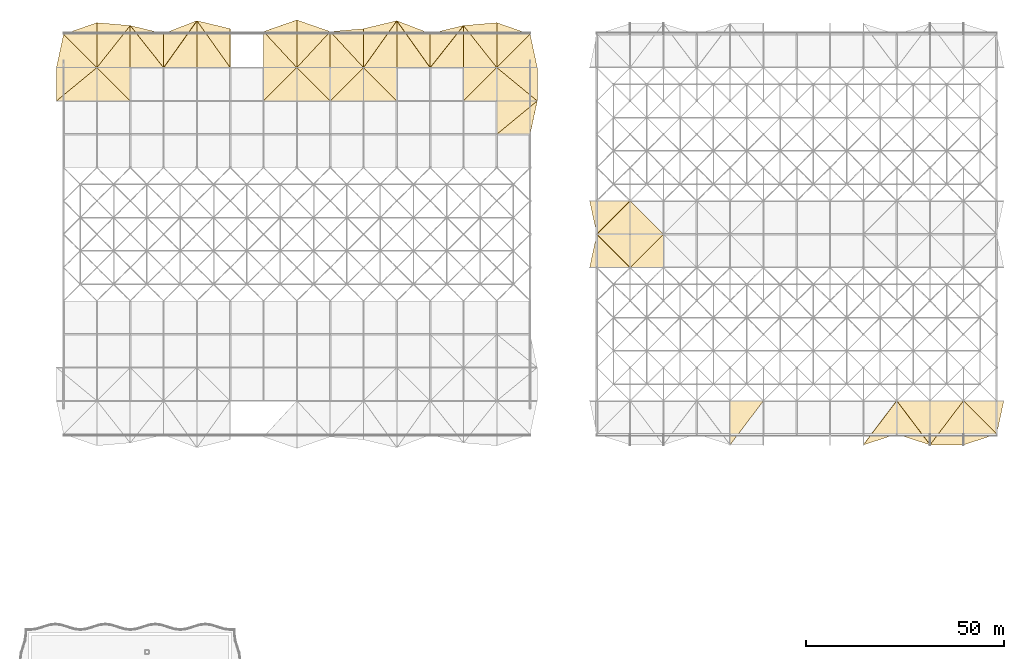
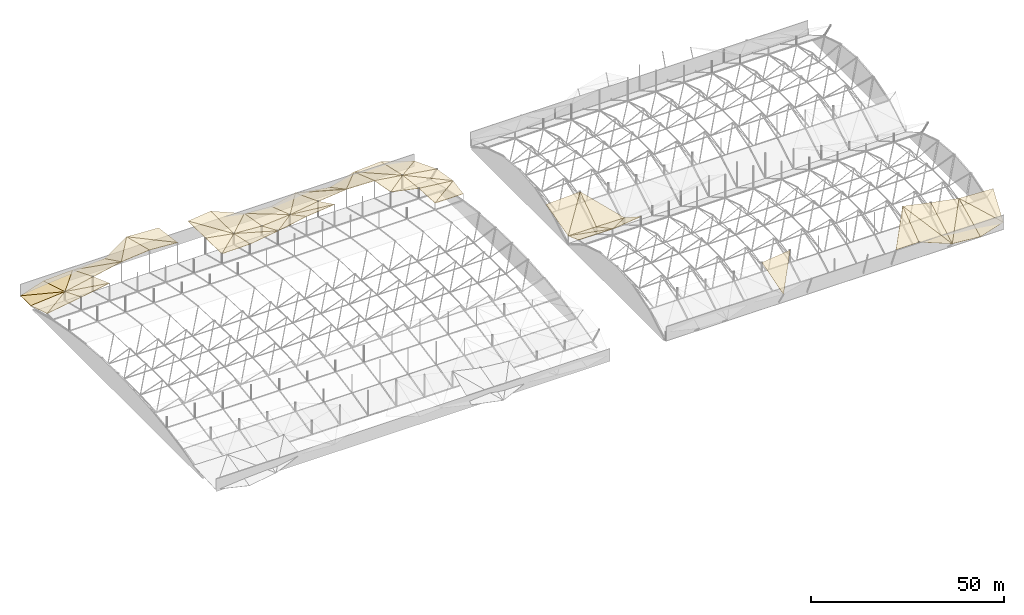
# One storey, part 110 of 111: 59 coverings.
"""IFC4 building model written with IfcOpenShell, lengths in metres."""

import ifcopenshell
import ifcopenshell.guid

model = None  # the IFC model being written
_history = None  # IfcOwnerHistory: only IFC2X3 demands one
_inside = {}  # id of a spatial element -> (the spatial element, [elements in it])
_under = {}  # id of a project, library or spatial element -> (it, [spatial elements below it])
_declared = {}  # id of a project -> (the project, [libraries it declares])
_typed = {}  # id of a type object -> (the type object, [elements of that type])
_made_of = {}  # id of a material, layer set ... -> (it, [elements and type objects made of it])


def new_model(schema):
    """Start an empty IFC model of exactly this schema.

    Asked for "IFC4X3", IfcOpenShell would pick the latest addendum, in which some entities
    have other attributes; the version numbers below select the first issue.
    IFC2X3 requires an IfcOwnerHistory on every rooted entity: one is made here for all.
    """
    global model, _history
    if schema == "IFC4X3":
        model = ifcopenshell.file(schema_version=(4, 3, 0, 0))
    else:
        model = ifcopenshell.file(schema=schema)
    _inside.clear()
    _under.clear()
    _declared.clear()
    _typed.clear()
    _made_of.clear()
    _history = None
    if model.schema == "IFC2X3":
        org = make("IfcOrganization", Name="unknown")
        user = make(
            "IfcPersonAndOrganization",
            ThePerson=make("IfcPerson", FamilyName="unknown"),
            TheOrganization=org,
        )
        app = make(
            "IfcApplication",
            ApplicationDeveloper=org,
            Version="unknown",
            ApplicationFullName="unknown",
            ApplicationIdentifier="unknown",
        )
        _history = make(
            "IfcOwnerHistory",
            OwningUser=user,
            OwningApplication=app,
            ChangeAction="ADDED",
            CreationDate=0,
        )
    return model


def make(cls, **values):
    """One entity of the class cls with the attributes given. An attribute that is None is left unset."""
    return model.create_entity(
        cls, **{name: value for name, value in values.items() if value is not None}
    )


def rooted(cls, **values):
    """An entity with a GlobalId (a new one), such as an element, a storey or a relation."""
    return make(cls, GlobalId=ifcopenshell.guid.new(), OwnerHistory=_history, **values)


def si_unit(unit_type, name, prefix=None):
    """IfcSIUnit, for example si_unit("LENGTHUNIT", "METRE", prefix="MILLI")."""
    return make("IfcSIUnit", UnitType=unit_type, Prefix=prefix, Name=name)


def assignment(units):
    """IfcUnitAssignment: the units of a project."""
    return None if units is None else make("IfcUnitAssignment", Units=units)


def point(xyz):
    """IfcCartesianPoint."""
    return None if xyz is None else make("IfcCartesianPoint", Coordinates=xyz)


def direction(xyz):
    """IfcDirection."""
    return None if xyz is None else make("IfcDirection", DirectionRatios=xyz)


def frame(location, z_axis=None, x_axis=None):
    """IfcAxis2Placement3D, a coordinate frame: its origin and axes. An axis left out is left unset."""
    return make(
        "IfcAxis2Placement3D",
        Location=point(location),
        Axis=direction(z_axis),
        RefDirection=direction(x_axis),
    )


def origin():
    """The frame at (0, 0, 0) with its axes left unset."""
    return frame((0.0, 0.0, 0.0))


def place(relative_to, where):
    """IfcLocalPlacement: puts the frame where relative to a parent placement (None: the world)."""
    return make(
        "IfcLocalPlacement", PlacementRelTo=relative_to, RelativePlacement=where
    )


def context(
    kind, dimensions, precision=None, world=None, true_north=None, identifier=None
):
    """IfcGeometricRepresentationContext, for example the 3D "Model" context."""
    return make(
        "IfcGeometricRepresentationContext",
        ContextIdentifier=identifier,
        ContextType=kind,
        CoordinateSpaceDimension=dimensions,
        Precision=precision,
        WorldCoordinateSystem=world,
        TrueNorth=true_north,
    )


def subcontext(parent, identifier, kind, view, scale=None):
    """IfcGeometricRepresentationSubContext, for example "Body" below "Model"."""
    return make(
        "IfcGeometricRepresentationSubContext",
        ContextIdentifier=identifier,
        ContextType=kind,
        ParentContext=parent,
        TargetScale=scale,
        TargetView=view,
    )


def project(units=None, contexts=None):
    """IfcProject with its units and contexts."""
    return rooted(
        "IfcProject",
        Name="project",
        RepresentationContexts=contexts,
        UnitsInContext=assignment(units),
    )


def spatial(cls, under=None, at=None, **own):
    """A site, building, storey or space (cls), placed at a placement, below another one or the project."""
    s = rooted(cls, ObjectPlacement=at, **own)
    if under is not None:
        _under.setdefault(under.id(), (under, []))[1].append(s)
    return s


def polyline(points):
    """IfcPolyline through the points."""
    return make("IfcPolyline", Points=[point(p) for p in points])


def outline(outer, holes=None, kind="AREA"):
    """IfcArbitraryClosedProfileDef: a profile drawn as a closed curve; with holes, ...WithVoids."""
    if holes is None:
        return make("IfcArbitraryClosedProfileDef", ProfileType=kind, OuterCurve=outer)
    return make(
        "IfcArbitraryProfileDefWithVoids",
        ProfileType=kind,
        OuterCurve=outer,
        InnerCurves=holes,
    )


def extrude(swept, where, along, depth):
    """IfcExtrudedAreaSolid: the profile swept, set in the frame where, extruded along a direction by depth."""
    return make(
        "IfcExtrudedAreaSolid",
        SweptArea=swept,
        Position=where,
        ExtrudedDirection=direction(along),
        Depth=depth,
    )


def shape(context_of_items, identifier, shape_type, items):
    """IfcShapeRepresentation: the items that make up one representation, for example the "Body"."""
    return make(
        "IfcShapeRepresentation",
        ContextOfItems=context_of_items,
        RepresentationIdentifier=identifier,
        RepresentationType=shape_type,
        Items=items,
    )


def material(Name=None, Category=None):
    """IfcMaterial."""
    return make("IfcMaterial", Name=Name, Category=Category)


def layer(
    of_material, thickness, ventilated=None, Name=None, Category=None, Priority=None
):
    """IfcMaterialLayer: one layer of a wall or slab, of a material (None: an air gap)."""
    return make(
        "IfcMaterialLayer",
        Material=of_material,
        LayerThickness=thickness,
        IsVentilated=ventilated,
        Name=Name,
        Category=Category,
        Priority=Priority,
    )


def layer_set(layers, Name=None):
    """IfcMaterialLayerSet."""
    return make("IfcMaterialLayerSet", MaterialLayers=layers, LayerSetName=Name)


def made_of(thing, what):
    """Note that an element or type object is made of a material, layer set ...; save() writes the relation."""
    if what is not None:
        _made_of.setdefault(what.id(), (what, []))[1].append(thing)
    return thing


def type_object(cls, material=None, **own):
    """A type object (cls), such as IfcWallType, which elements share."""
    return made_of(rooted(cls, **own), material)


def element(
    cls,
    number,
    at=None,
    inside=None,
    cuts=None,
    type_object=None,
    material=None,
    context=None,
    identifier="Body",
    shape_type=None,
    held_by="IfcProductDefinitionShape",
    body=None,
    shapes=None,
    **own,
):
    """One element of the class cls, such as IfcWall. Its Tag is "e" and its number.

    at: its placement. inside: the storey or other place that contains it. cuts: it is an
    opening in that element (IfcRelVoidsElement). A single representation is given by context,
    identifier, shape_type and body (its items); several are given by shapes. held_by: the class
    of the entity that holds the representations. save() writes the other relations.
    """
    e = rooted(cls, Tag="e%d" % number, ObjectPlacement=at, **own)
    if body is not None:
        shapes = [shape(context, identifier, shape_type, body)]
    if shapes is not None:
        e.Representation = make(held_by, Representations=shapes)
    if inside is not None:
        _inside.setdefault(inside.id(), (inside, []))[1].append(e)
    if cuts is not None:
        rooted(
            "IfcRelVoidsElement", RelatingBuildingElement=cuts, RelatedOpeningElement=e
        )
    if type_object is not None:
        _typed.setdefault(type_object.id(), (type_object, []))[1].append(e)
    return made_of(e, material)


def aggregate(whole, parts):
    """IfcRelAggregates: a whole, such as a stair, and the parts it consists of."""
    return rooted("IfcRelAggregates", RelatingObject=whole, RelatedObjects=parts)


def save(model, path):
    """Write the relations noted so far, then the file.

    IfcRelAggregates (storeys below a building ...), IfcRelContainedInSpatialStructure (elements
    in a storey), IfcRelDefinesByType, IfcRelAssociatesMaterial and IfcRelDeclares: one each for
    every whole, place, type object, material and project.
    """
    for whole, parts in _under.values():
        aggregate(whole, parts)
    for where, things in _inside.values():
        rooted(
            "IfcRelContainedInSpatialStructure",
            RelatedElements=things,
            RelatingStructure=where,
        )
    for kind, things in _typed.values():
        rooted("IfcRelDefinesByType", RelatedObjects=things, RelatingType=kind)
    for what, things in _made_of.values():
        rooted("IfcRelAssociatesMaterial", RelatedObjects=things, RelatingMaterial=what)
    for by, libraries in _declared.values():
        rooted("IfcRelDeclares", RelatingContext=by, RelatedDefinitions=libraries)
    model.write(path)


model = new_model("IFC4")

# Units and contexts
model_context = context("Model", 3, precision=1e-05, world=origin(), true_north=direction((0.0, 1.0)))
body_context = subcontext(model_context, "Body", "Model", "MODEL_VIEW")
ifc_project = project(units=[si_unit("LENGTHUNIT", "METRE"), si_unit("AREAUNIT", "SQUARE_METRE"), si_unit("VOLUMEUNIT", "CUBIC_METRE"), si_unit("PLANEANGLEUNIT", "RADIAN"), si_unit("MASSUNIT", "GRAM", prefix="KILO")], contexts=[model_context])

# Site, building, storey
site_placement = place(None, origin())
site = spatial("IfcSite", under=ifc_project, at=site_placement, CompositionType="ELEMENT")
building_placement = place(site_placement, origin())
building = spatial("IfcBuilding", under=site, at=building_placement, Name="Rain Tree Exposition and Congress Centre", CompositionType="ELEMENT")
storey_placement = place(building_placement, frame((0.0, 0.0, 19.5)))
storey = spatial("IfcBuildingStorey", under=building, at=storey_placement, Name="RF", CompositionType="ELEMENT", Elevation=19.5)

# Coverings
ifc_material = material(Name="Aluminium composite cladding", Category="aluminium")
ifc_layer = layer(ifc_material, 0.10009765625)
ifc_layer_set = layer_set([ifc_layer], Name="Aluminium composite cladding")
covering_type = type_object("IfcCoveringType", Name="Triangular aluminium roof skin facet 100", PredefinedType="CLADDING", material=ifc_layer_set)
covering_1_placement = place(storey_placement, frame((117.60009765625, 176.39990234375, 6.8603515625), z_axis=(0.002026468346, 0.188820978745, 0.9820094355), x_axis=(0.999997870798, 0.0, -0.002063589165)))
element("IfcCovering", 1, at=covering_1_placement, inside=storey, type_object=covering_type, Name="Roof skin facet A279", PredefinedType="CLADDING", context=body_context, shape_type="SweptSolid", body=[
    extrude(outline(polyline([(0.0, 0.0), (8.399920228880216, -4.336808689942018e-19), (10.2033059615821, 8.554020251834858), (0.0, 0.0)])), origin(), (0.0, 0.0, -1.0), 0.10009765625),
])
covering_2_placement = place(storey_placement, frame((117.60009765625, 176.39990234375, 6.8603515625), z_axis=(0.112314116836, 0.056857969944, 0.992044711902), x_axis=(0.766072363495, 0.630897144756, -0.122889896363)))
element("IfcCovering", 2, at=covering_2_placement, inside=storey, type_object=covering_type, Name="Roof skin facet A280", PredefinedType="CLADDING", context=body_context, shape_type="SweptSolid", body=[
    extrude(outline(polyline([(0.0, 0.0), (13.314605327025571, 3.191891195797325e-16), (5.3587931970828, 6.486723827849079), (0.0, 0.0)])), origin(), (0.0, 0.0, -1.0), 0.10009765625),
])
covering_3_placement = place(storey_placement, frame((6.60009765625, 184.800048828125, 5.731201171875), z_axis=(-0.144696164509, 0.368806949451, 0.918174522634), x_axis=(0.98780912301, 0.0, 0.155669960169)))
element("IfcCovering", 3, at=covering_3_placement, inside=storey, type_object=covering_type, Name="Roof skin facet A281", PredefinedType="CLADDING", context=body_context, shape_type="SweptSolid", body=[
    extrude(outline(polyline([(0.0, 0.0), (10.325832121086545, 0.0), (9.800598026962081, 9.036953175031135), (0.0, 0.0)])), origin(), (0.0, 0.0, -1.0), 0.10009765625),
])
covering_4_placement = place(storey_placement, frame((6.60009765625, 184.800048828125, 5.731201171875), z_axis=(-0.079123168679, 0.296259074844, 0.951824608187), x_axis=(0.765124459296, 0.630098186806, -0.132517307438)))
element("IfcCovering", 4, at=covering_4_placement, inside=storey, type_object=covering_type, Name="Roof skin facet A282", PredefinedType="CLADDING", context=body_context, shape_type="SweptSolid", body=[
    extrude(outline(polyline([(0.0, 0.0), (13.331100643750252, -5.551115123125783e-17), (5.639229995261527, 6.752263687680884), (0.0, 0.0)])), origin(), (0.0, 0.0, -1.0), 0.10009765625),
])
covering_5_placement = place(storey_placement, frame((16.800048828125, 184.800048828125, 7.338623046875), z_axis=(-0.157719070802, 0.368064430679, 0.916325962513), x_axis=(0.985508366374, 0.0, 0.169626825137)))
element("IfcCovering", 5, at=covering_5_placement, inside=storey, type_object=covering_type, Name="Roof skin facet A283", PredefinedType="CLADDING", context=body_context, shape_type="SweptSolid", body=[
    extrude(outline(polyline([(0.0, 0.0), (8.5234206327976, 0.0), (-0.5723248836414839, 9.034093079490649), (0.0, 0.0)])), origin(), (0.0, 0.0, -1.0), 0.10009765625),
])
covering_6_placement = place(storey_placement, frame((25.199951171875, 184.800048828125, 8.784423828125), z_axis=(-0.197018670741, 0.332242806707, 0.922387316029), x_axis=(0.0, 0.940827788569, -0.338885042834)))
element("IfcCovering", 6, at=covering_6_placement, inside=storey, type_object=covering_type, Name="Roof skin facet A284", PredefinedType="CLADDING", context=body_context, shape_type="SweptSolid", body=[
    extrude(outline(polyline([(0.0, 0.0), (8.928203913413682, 0.0), (9.53622788308768, 8.567834150504057), (0.0, 0.0)])), origin(), (0.0, 0.0, -1.0), 0.10009765625),
])
covering_7_placement = place(storey_placement, frame((58.800048828125, 184.800048828125, 6.322998046875), z_axis=(-0.013128747967, 0.209491623402, 0.977722299889), x_axis=(0.999909858068, 0.0, 0.013426680068)))
element("IfcCovering", 7, at=covering_7_placement, inside=storey, type_object=covering_type, Name="Roof skin facet A293", PredefinedType="CLADDING", context=body_context, shape_type="SweptSolid", body=[
    extrude(outline(polyline([(0.0, 0.0), (8.400659595432742, -3.469446951953614e-18), (8.376494193708375, 8.590522238551229), (0.0, 0.0)])), origin(), (0.0, 0.0, -1.0), 0.10009765625),
])
covering_8_placement = place(storey_placement, frame((58.800048828125, 184.800048828125, 6.322998046875), z_axis=(0.178169764152, 0.019415385951, 0.983808201801), x_axis=(0.700082471864, 0.700082471864, -0.140602507719)))
element("IfcCovering", 8, at=covering_8_placement, inside=storey, type_object=covering_type, Name="Roof skin facet A294", PredefinedType="CLADDING", context=body_context, shape_type="SweptSolid", body=[
    extrude(outline(polyline([(0.0, 0.0), (11.998446870669277, -3.3306690738754696e-16), (5.903932282642229, 5.9774094030393785), (0.0, 0.0)])), origin(), (0.0, 0.0, -1.0), 0.10009765625),
])
covering_9_placement = place(storey_placement, frame((67.199951171875, 184.800048828125, 6.435791015625), z_axis=(-0.143795366119, 0.207332339006, 0.967644663027), x_axis=(0.989138073047, 0.0, 0.146989361685)))
element("IfcCovering", 9, at=covering_9_placement, inside=storey, type_object=covering_type, Name="Roof skin facet A295", PredefinedType="CLADDING", context=body_context, shape_type="SweptSolid", body=[
    extrude(outline(polyline([(0.0, 0.0), (8.492390206452349, 0.0), (-0.2645521421730042, 8.586481727794885), (0.0, 0.0)])), origin(), (0.0, 0.0, -1.0), 0.10009765625),
])
covering_10_placement = place(storey_placement, frame((75.60009765625, 184.800048828125, 7.68408203125), z_axis=(0.059667215908, 0.392689442842, 0.917733526044), x_axis=(0.0, 0.919371547817, -0.393390336771)))
element("IfcCovering", 10, at=covering_10_placement, inside=storey, type_object=covering_type, Name="Roof skin facet A296", PredefinedType="CLADDING", context=body_context, shape_type="SweptSolid", body=[
    extrude(outline(polyline([(0.0, 0.0), (9.136569827180203, 0.0), (8.921722614446399, 8.415139532401064), (0.0, 0.0)])), origin(), (0.0, 0.0, -1.0), 0.10009765625),
])
covering_11_placement = place(storey_placement, frame((75.60009765625, 184.800048828125, 7.68408203125), z_axis=(-0.164427750207, 0.467406013717, 0.868616793127), x_axis=(0.982550644692, 0.0, 0.18599524353)))
element("IfcCovering", 11, at=covering_11_placement, inside=storey, type_object=covering_type, Name="Roof skin facet A297", PredefinedType="CLADDING", context=body_context, shape_type="SweptSolid", body=[
    extrude(outline(polyline([(0.0, 0.0), (8.549078247650389, 0.0), (7.708376114177176, 9.501692263496636), (0.0, 0.0)])), origin(), (0.0, 0.0, -1.0), 0.10009765625),
])
covering_12_placement = place(storey_placement, frame((75.60009765625, 184.800048828125, 7.68408203125), z_axis=(-0.072517109345, 0.392354606311, 0.916950997469), x_axis=(0.68653324069, 0.68653324069, -0.239466529719)))
element("IfcCovering", 12, at=covering_12_placement, inside=storey, type_object=covering_type, Name="Roof skin facet A298", PredefinedType="CLADDING", context=body_context, shape_type="SweptSolid", body=[
    extrude(outline(polyline([(0.0, 0.0), (12.235244917361033, 0.0), (6.6275119457278935, 6.2891170776329), (0.0, 0.0)])), origin(), (0.0, 0.0, -1.0), 0.10009765625),
])
covering_13_placement = place(storey_placement, frame((84.0, 184.800048828125, 9.274169921875), z_axis=(-0.091574451732, 0.471864569819, 0.87690247322), x_axis=(0.994591441286, 0.0, 0.103864647112)))
element("IfcCovering", 13, at=covering_13_placement, inside=storey, type_object=covering_type, Name="Roof skin facet A299", PredefinedType="CLADDING", context=body_context, shape_type="SweptSolid", body=[
    extrude(outline(polyline([(0.0, 0.0), (8.445580763177672, -5.551115123125783e-17), (-0.46947023355351497, 9.527252156168926), (0.0, 0.0)])), origin(), (0.0, 0.0, -1.0), 0.10009765625),
])
covering_14_placement = place(storey_placement, frame((92.39990234375, 184.800048828125, 10.1513671875), z_axis=(-0.133552501564, 0.437741065013, 0.889126812849), x_axis=(0.0, 0.897163840289, -0.441697909977)))
element("IfcCovering", 14, at=covering_14_placement, inside=storey, type_object=covering_type, Name="Roof skin facet A300", PredefinedType="CLADDING", context=body_context, shape_type="SweptSolid", body=[
    extrude(outline(polyline([(0.0, 0.0), (9.362729488789244, -5.551115123125783e-17), (9.920028023642601, 8.475831046669619), (0.0, 0.0)])), origin(), (0.0, 0.0, -1.0), 0.10009765625),
])
covering_15_placement = place(storey_placement, frame((109.199951171875, 184.800048828125, 8.193603515625), z_axis=(0.209865679338, 0.110568799495, 0.971458150006), x_axis=(0.977451420295, 0.0, -0.211160415237)))
element("IfcCovering", 15, at=covering_15_placement, inside=storey, type_object=covering_type, Name="Roof skin facet A305", PredefinedType="CLADDING", context=body_context, shape_type="SweptSolid", body=[
    extrude(outline(polyline([(0.0, 0.0), (8.593927339978185, 2.7755575615628914e-17), (8.79580824477981, 8.451724324083456), (0.0, 0.0)])), origin(), (0.0, 0.0, -1.0), 0.10009765625),
])
covering_16_placement = place(storey_placement, frame((109.199951171875, 184.800048828125, 8.193603515625), z_axis=(0.142948249853, 0.178181174144, 0.973559072191), x_axis=(0.688634026141, 0.688614011783, -0.227142952384)))
element("IfcCovering", 16, at=covering_16_placement, inside=storey, type_object=covering_type, Name="Roof skin facet A306", PredefinedType="CLADDING", context=body_context, shape_type="SweptSolid", body=[
    extrude(outline(polyline([(0.0, 0.0), (12.19827392417634, -9.020562075079397e-16), (6.133489467908487, 5.94155890012015), (0.0, 0.0)])), origin(), (0.0, 0.0, -1.0), 0.10009765625),
])
covering_17_placement = place(storey_placement, frame((117.60009765625, 184.800048828125, 6.37890625), z_axis=(0.111783495263, 0.112378461768, 0.987357853829), x_axis=(0.993652165752, 0.0, -0.112496104359)))
element("IfcCovering", 17, at=covering_17_placement, inside=storey, type_object=covering_type, Name="Roof skin facet A307", PredefinedType="CLADDING", context=body_context, shape_type="SweptSolid", body=[
    extrude(outline(polyline([(0.0, 0.0), (10.265112403950068, 0.0), (0.10755242789775914, 8.453450918132829), (0.0, 0.0)])), origin(), (0.0, 0.0, -1.0), 0.10009765625),
])
covering_18_placement = place(storey_placement, frame((127.800048828125, 184.800048828125, 5.22412109375), z_axis=(0.151456151739, 0.160838222134, 0.975290777359), x_axis=(0.0, 0.98667306034, -0.162715309666)))
element("IfcCovering", 18, at=covering_18_placement, inside=storey, type_object=covering_type, Name="Roof skin facet A308", PredefinedType="CLADDING", context=body_context, shape_type="SweptSolid", body=[
    extrude(outline(polyline([(0.0, 0.0), (8.51335937038474, 0.0), (8.255620862300526, 10.318991291319557), (0.0, 0.0)])), origin(), (0.0, 0.0, -1.0), 0.10009765625),
])
covering_19_placement = place(storey_placement, frame((6.60009765625, 193.199951171875, 3.11669921875), z_axis=(-0.078711681537, 0.311822130329, 0.946874558866), x_axis=(0.996562681497, 0.0, 0.082842150191)))
element("IfcCovering", 19, at=covering_19_placement, inside=storey, type_object=covering_type, Name="Roof skin facet A309", PredefinedType="CLADDING", context=body_context, shape_type="SweptSolid", body=[
    extrude(outline(polyline([(0.0, 0.0), (10.235132582485496, 5.551115123125783e-17), (1.5768451958603005, 8.840951979385691), (0.0, 0.0)])), origin(), (0.0, 0.0, -1.0), 0.10009765625),
])
covering_20_placement = place(storey_placement, frame((16.800048828125, 193.199951171875, 3.964599609375), z_axis=(-0.101264284341, 0.291102032861, 0.951317586919), x_axis=(0.0, 0.956233045229, -0.292606157168)))
element("IfcCovering", 20, at=covering_20_placement, inside=storey, type_object=covering_type, Name="Roof skin facet A310", PredefinedType="CLADDING", context=body_context, shape_type="SweptSolid", body=[
    extrude(outline(polyline([(0.0, 0.0), (11.840487715307088, 0.0), (9.046260830946446, 8.44355004424566), (0.0, 0.0)])), origin(), (0.0, 0.0, -1.0), 0.10009765625),
])
covering_21_placement = place(storey_placement, frame((16.800048828125, 193.199951171875, 3.964599609375), z_axis=(-0.194191991549, 0.368414492041, 0.909153580245), x_axis=(0.977940298511, 0.0, 0.208884591459)))
element("IfcCovering", 21, at=covering_21_placement, inside=storey, type_object=covering_type, Name="Roof skin facet A311", PredefinedType="CLADDING", context=body_context, shape_type="SweptSolid", body=[
    extrude(outline(polyline([(0.0, 0.0), (8.589381536422849, 0.0), (7.692085543569098, 11.402628116263024), (0.0, 0.0)])), origin(), (0.0, 0.0, -1.0), 0.10009765625),
])
covering_22_placement = place(storey_placement, frame((16.800048828125, 193.199951171875, 3.964599609375), z_axis=(-0.08420247714, 0.291567014808, 0.952837141761), x_axis=(0.61069915639, 0.770695732444, -0.181864313096)))
element("IfcCovering", 22, at=covering_22_placement, inside=storey, type_object=covering_type, Name="Roof skin facet A312", PredefinedType="CLADDING", context=body_context, shape_type="SweptSolid", body=[
    extrude(outline(polyline([(0.0, 0.0), (13.754566804060994, -1.1102230246251565e-16), (9.35610882689094, 7.2567469954320085), (0.0, 0.0)])), origin(), (0.0, 0.0, -1.0), 0.10009765625),
])
covering_23_placement = place(storey_placement, frame((25.199951171875, 193.199951171875, 5.7587890625), z_axis=(-0.187690032778, 0.36888949304, 0.910325762307), x_axis=(0.979399624524, 0.0, 0.201931610904)))
element("IfcCovering", 23, at=covering_23_placement, inside=storey, type_object=covering_type, Name="Roof skin facet A313", PredefinedType="CLADDING", context=body_context, shape_type="SweptSolid", body=[
    extrude(outline(polyline([(0.0, 0.0), (8.57683245330801, -1.1102230246251565e-16), (-0.8674283920545619, 11.404939107300882), (0.0, 0.0)])), origin(), (0.0, 0.0, -1.0), 0.10009765625),
])
covering_24_placement = place(storey_placement, frame((33.60009765625, 193.199951171875, 7.49072265625), z_axis=(-0.092844987403, 0.435541590215, 0.895367707429), x_axis=(0.0, 0.899251958422, -0.437431040594)))
element("IfcCovering", 24, at=covering_24_placement, inside=storey, type_object=covering_type, Name="Roof skin facet A314", PredefinedType="CLADDING", context=body_context, shape_type="SweptSolid", body=[
    extrude(outline(polyline([(0.0, 0.0), (9.539450050998013, 0.0), (12.169251707979631, 8.436587688415525), (0.0, 0.0)])), origin(), (0.0, 0.0, -1.0), 0.10009765625),
])
covering_25_placement = place(storey_placement, frame((33.60009765625, 193.199951171875, 7.49072265625), z_axis=(-0.091187906223, 0.24447928842, 0.965357261998), x_axis=(0.995568264304, 0.0, 0.094041645614)))
element("IfcCovering", 25, at=covering_25_placement, inside=storey, type_object=covering_type, Name="Roof skin facet A315", PredefinedType="CLADDING", context=body_context, shape_type="SweptSolid", body=[
    extrude(outline(polyline([(0.0, 0.0), (8.43729420163697, 0.0), (8.155743249448872, 12.191741663342272), (0.0, 0.0)])), origin(), (0.0, 0.0, -1.0), 0.10009765625),
])
covering_26_placement = place(storey_placement, frame((33.60009765625, 193.199951171875, 7.49072265625), z_axis=(-0.355266379481, 0.408895272143, 0.840589350414), x_axis=(0.572662579794, 0.805948597302, -0.150014759975)))
element("IfcCovering", 26, at=covering_26_placement, inside=storey, type_object=covering_type, Name="Roof skin facet A316", PredefinedType="CLADDING", context=body_context, shape_type="SweptSolid", body=[
    extrude(outline(polyline([(0.0, 0.0), (14.668153010403412, 4.440892098500626e-16), (7.539713901585657, 5.844127099723448), (0.0, 0.0)])), origin(), (0.0, 0.0, -1.0), 0.10009765625),
])
covering_27_placement = place(storey_placement, frame((42.0, 193.199951171875, 8.2841796875), z_axis=(0.066263000627, 0.244962556483, 0.967265506812), x_axis=(0.997661725633, 0.0, -0.068345308589)))
element("IfcCovering", 27, at=covering_27_placement, inside=storey, type_object=covering_type, Name="Roof skin facet A317", PredefinedType="CLADDING", context=body_context, shape_type="SweptSolid", body=[
    extrude(outline(polyline([(0.0, 0.0), (8.419589654416036, -5.551115123125783e-17), (0.20461877910855272, 12.193275477884928), (0.0, 0.0)])), origin(), (0.0, 0.0, -1.0), 0.10009765625),
])
covering_28_placement = place(storey_placement, frame((50.39990234375, 193.199951171875, 7.708740234375), z_axis=(-0.098859505652, 0.131543666827, 0.98636862372), x_axis=(0.0, 0.991224233826, -0.132191218607)))
element("IfcCovering", 28, at=covering_28_placement, inside=storey, type_object=covering_type, Name="Roof skin facet A318", PredefinedType="CLADDING", context=body_context, shape_type="SweptSolid", body=[
    extrude(outline(polyline([(0.0, 0.0), (9.886320584650882, 0.0), (12.03773097212537, 8.44125265612123), (0.0, 0.0)])), origin(), (0.0, 0.0, -1.0), 0.10009765625),
])
covering_29_placement = place(storey_placement, frame((58.800048828125, 193.199951171875, 6.1572265625), z_axis=(0.178189512922, 0.012463692768, 0.983917249492), x_axis=(0.983993681039, 0.0, -0.178203354838)))
element("IfcCovering", 29, at=covering_29_placement, inside=storey, type_object=covering_type, Name="Roof skin facet A321", PredefinedType="CLADDING", context=body_context, shape_type="SweptSolid", body=[
    extrude(outline(polyline([(0.0, 0.0), (8.536540940874005, -3.469446951953614e-18), (0.02049164553922369, 9.078341877461048), (0.0, 0.0)])), origin(), (0.0, 0.0, -1.0), 0.10009765625),
])
covering_30_placement = place(storey_placement, frame((67.199951171875, 193.199951171875, 4.635986328125), z_axis=(0.181891723765, 0.016002414484, 0.983188345922), x_axis=(0.0, 0.999867571544, -0.016273886256)))
element("IfcCovering", 30, at=covering_30_placement, inside=storey, type_object=covering_type, Name="Roof skin facet A322", PredefinedType="CLADDING", context=body_context, shape_type="SweptSolid", body=[
    extrude(outline(polyline([(0.0, 0.0), (12.00158935194236, 6.938893903907228e-18), (9.053549428792092, 8.542401862769827), (0.0, 0.0)])), origin(), (0.0, 0.0, -1.0), 0.10009765625),
])
covering_31_placement = place(storey_placement, frame((67.199951171875, 193.199951171875, 4.635986328125), z_axis=(0.063969210468, 0.166867989638, 0.983901933196), x_axis=(0.997893147283, 0.0, -0.064878861001)))
element("IfcCovering", 31, at=covering_31_placement, inside=storey, type_object=covering_type, Name="Roof skin facet A323", PredefinedType="CLADDING", context=body_context, shape_type="SweptSolid", body=[
    extrude(outline(polyline([(0.0, 0.0), (8.417881721347639, 0.0), (8.517766022488857, 9.206721899353282), (0.0, 0.0)])), origin(), (0.0, 0.0, -1.0), 0.10009765625),
])
covering_32_placement = place(storey_placement, frame((67.199951171875, 193.199951171875, 4.635986328125), z_axis=(0.224770669757, 0.015857465046, 0.974282652426), x_axis=(0.669730874865, 0.723746138554, -0.166289152323)))
element("IfcCovering", 32, at=covering_32_placement, inside=storey, type_object=covering_type, Name="Roof skin facet A324", PredefinedType="CLADDING", context=body_context, shape_type="SweptSolid", body=[
    extrude(outline(polyline([(0.0, 0.0), (12.542570157104839, -3.885780586188048e-16), (8.717432012713676, 8.24891059936832), (0.0, 0.0)])), origin(), (0.0, 0.0, -1.0), 0.10009765625),
])
covering_33_placement = place(storey_placement, frame((75.60009765625, 193.199951171875, 4.08984375), z_axis=(-0.077735680962, 0.166704479712, 0.982937831376), x_axis=(0.996887371198, 0.0, 0.078838880923)))
element("IfcCovering", 33, at=covering_33_placement, inside=storey, type_object=covering_type, Name="Roof skin facet A325", PredefinedType="CLADDING", context=body_context, shape_type="SweptSolid", body=[
    extrude(outline(polyline([(0.0, 0.0), (8.42612975792061, 1.3877787807814457e-17), (-0.12137646071761553, 9.206463640314308), (0.0, 0.0)])), origin(), (0.0, 0.0, -1.0), 0.10009765625),
])
covering_34_placement = place(storey_placement, frame((84.0, 193.199951171875, 4.754150390625), z_axis=(0.100050020995, 0.321207261432, 0.941709025391), x_axis=(0.0, 0.946457964794, -0.322827075812)))
element("IfcCovering", 34, at=covering_34_placement, inside=storey, type_object=covering_type, Name="Roof skin facet A326", PredefinedType="CLADDING", context=body_context, shape_type="SweptSolid", body=[
    extrude(outline(polyline([(0.0, 0.0), (10.353931089800469, 0.0), (9.30306642098148, 8.442262166321026), (0.0, 0.0)])), origin(), (0.0, 0.0, -1.0), 0.10009765625),
])
covering_35_placement = place(storey_placement, frame((84.0, 193.199951171875, 4.754150390625), z_axis=(-0.138797903049, 0.356188468975, 0.924048113833), x_axis=(0.988906395797, 0.0, 0.148540029457)))
element("IfcCovering", 35, at=covering_35_placement, inside=storey, type_object=covering_type, Name="Roof skin facet A327", PredefinedType="CLADDING", context=body_context, shape_type="SweptSolid", body=[
    extrude(outline(polyline([(0.0, 0.0), (8.494132892099012, -5.551115123125783e-17), (7.817253094783097, 12.651539513923655), (0.0, 0.0)])), origin(), (0.0, 0.0, -1.0), 0.10009765625),
])
covering_36_placement = place(storey_placement, frame((84.0, 193.199951171875, 4.754150390625), z_axis=(-0.082769987883, 0.321719352024, 0.943210362347), x_axis=(0.564820233981, 0.794911508744, -0.221571199734)))
element("IfcCovering", 36, at=covering_36_placement, inside=storey, type_object=covering_type, Name="Roof skin facet A328", PredefinedType="CLADDING", context=body_context, shape_type="SweptSolid", body=[
    extrude(outline(polyline([(0.0, 0.0), (14.87181555897825, -1.2212453270876722e-15), (8.530391685799163, 5.868245623624259), (0.0, 0.0)])), origin(), (0.0, 0.0, -1.0), 0.10009765625),
])
covering_37_placement = place(storey_placement, frame((92.39990234375, 193.199951171875, 6.015869140625), z_axis=(-0.095106774522, 0.358039455756, 0.928850068397), x_axis=(0.994798805648, 0.0, 0.101859394667)))
element("IfcCovering", 37, at=covering_37_placement, inside=storey, type_object=covering_type, Name="Roof skin facet A329", PredefinedType="CLADDING", context=body_context, shape_type="SweptSolid", body=[
    extrude(outline(polyline([(0.0, 0.0), (8.444065711262683, -5.551115123125783e-17), (-0.4641615237924403, 12.661128402011279), (0.0, 0.0)])), origin(), (0.0, 0.0, -1.0), 0.10009765625),
])
covering_38_placement = place(storey_placement, frame((100.800048828125, 193.199951171875, 6.8759765625), z_axis=(0.095812807324, 0.470118881646, 0.877387111298), x_axis=(0.0, 0.881442301123, -0.47229172107)))
element("IfcCovering", 38, at=covering_38_placement, inside=storey, type_object=covering_type, Name="Roof skin facet A330", PredefinedType="CLADDING", context=body_context, shape_type="SweptSolid", body=[
    extrude(outline(polyline([(0.0, 0.0), (9.732195890414628, 0.0), (12.978615188493976, 8.438971067173297), (0.0, 0.0)])), origin(), (0.0, 0.0, -1.0), 0.10009765625),
])
covering_39_placement = place(storey_placement, frame((100.800048828125, 193.199951171875, 6.8759765625), z_axis=(0.024706158463, 0.327612819662, 0.944488986769), x_axis=(0.999658049024, 0.0, -0.026149283384)))
element("IfcCovering", 39, at=covering_39_placement, inside=storey, type_object=covering_type, Name="Roof skin facet A331", PredefinedType="CLADDING", context=body_context, shape_type="SweptSolid", body=[
    extrude(outline(polyline([(0.0, 0.0), (8.402775681095195, 1.3877787807814457e-17), (8.498926647172231, 11.21978255463671), (0.0, 0.0)])), origin(), (0.0, 0.0, -1.0), 0.10009765625),
])
covering_40_placement = place(storey_placement, frame((100.800048828125, 193.199951171875, 6.8759765625), z_axis=(-0.183931976009, 0.46423394012, 0.86640399182), x_axis=(0.596781369204, 0.753131635495, -0.276847858916)))
element("IfcCovering", 40, at=covering_40_placement, inside=storey, type_object=covering_type, Name="Roof skin facet A332", PredefinedType="CLADDING", context=body_context, shape_type="SweptSolid", body=[
    extrude(outline(polyline([(0.0, 0.0), (14.075342792534201, 4.440892098500626e-16), (7.73315452056114, 5.90880343305886), (0.0, 0.0)])), origin(), (0.0, 0.0, -1.0), 0.10009765625),
])
covering_41_placement = place(storey_placement, frame((109.199951171875, 193.199951171875, 6.65625), z_axis=(0.137406402086, 0.324604415393, 0.935815929643), x_axis=(0.98939161587, 0.0, -0.145272951532)))
element("IfcCovering", 41, at=covering_41_placement, inside=storey, type_object=covering_type, Name="Roof skin facet A333", PredefinedType="CLADDING", context=body_context, shape_type="SweptSolid", body=[
    extrude(outline(polyline([(0.0, 0.0), (8.490213935148226, -5.551115123125783e-17), (0.5341689265206538, 11.207472022697516), (0.0, 0.0)])), origin(), (0.0, 0.0, -1.0), 0.10009765625),
])
covering_42_placement = place(storey_placement, frame((117.60009765625, 193.199951171875, 5.4228515625), z_axis=(-0.004654802467, 0.221118772592, 0.975235777246), x_axis=(0.0, 0.975246342726, -0.221121168142)))
element("IfcCovering", 42, at=covering_42_placement, inside=storey, type_object=covering_type, Name="Roof skin facet A334", PredefinedType="CLADDING", context=body_context, shape_type="SweptSolid", body=[
    extrude(outline(polyline([(0.0, 0.0), (11.609646844055714, 0.0), (10.878515130145436, 8.400237489622072), (0.0, 0.0)])), origin(), (0.0, 0.0, -1.0), 0.10009765625),
])
covering_43_placement = place(storey_placement, frame((117.60009765625, 193.199951171875, 5.4228515625), z_axis=(0.148318330473, 0.25654298127, 0.955085007529), x_axis=(0.988155791898, 0.0, -0.153454002677)))
element("IfcCovering", 43, at=covering_43_placement, inside=storey, type_object=covering_type, Name="Roof skin facet A335", PredefinedType="CLADDING", context=body_context, shape_type="SweptSolid", body=[
    extrude(outline(polyline([(0.0, 0.0), (10.322209570091006, -5.551115123125783e-17), (8.846829786401406, 8.691010052398456), (0.0, 0.0)])), origin(), (0.0, 0.0, -1.0), 0.10009765625),
])
covering_44_placement = place(storey_placement, frame((117.60009765625, 193.199951171875, 5.4228515625), z_axis=(0.188828496094, 0.217143216224, 0.957701739954), x_axis=(0.677323266982, 0.677342953178, -0.2871231718)))
element("IfcCovering", 44, at=covering_44_placement, inside=storey, type_object=covering_type, Name="Roof skin facet A336", PredefinedType="CLADDING", context=body_context, shape_type="SweptSolid", body=[
    extrude(outline(polyline([(0.0, 0.0), (12.401614935178811, -3.469446951953614e-16), (8.406141833025439, 8.007538905728309), (0.0, 0.0)])), origin(), (0.0, 0.0, -1.0), 0.10009765625),
])
covering_45_placement = place(storey_placement, frame((176.39990234375, 98.10009765625, 4.900634765625), z_axis=(-0.110100798246, -0.285418419165, 0.952057845), x_axis=(0.576582889502, 0.761889762873, 0.295086700417)))
element("IfcCovering", 45, at=covering_45_placement, inside=storey, type_object=covering_type, Name="Roof skin facet B10", PredefinedType="CLADDING", context=body_context, shape_type="SweptSolid", body=[
    extrude(outline(polyline([(0.0, 0.0), (14.568844544862042, -9.992007221626409e-16), (9.438806102470384, 6.722265508016905), (0.0, 0.0)])), origin(), (0.0, 0.0, -1.0), 0.10009765625),
])
covering_46_placement = place(storey_placement, frame((210.0, 98.10009765625, 7.188720703125), z_axis=(0.370884706428, -0.555954289778, 0.74388128234), x_axis=(0.924475490318, 0.297150916917, -0.238843882853)))
element("IfcCovering", 46, at=covering_46_placement, inside=storey, type_object=covering_type, Name="Roof skin facet B17", PredefinedType="CLADDING", context=body_context, shape_type="SweptSolid", body=[
    extrude(outline(polyline([(0.0, 0.0), (9.08612768182462, -4.440892098500626e-16), (10.082744587036776, 10.439170902967849), (0.0, 0.0)])), origin(), (0.0, 0.0, -1.0), 0.10009765625),
])
covering_47_placement = place(storey_placement, frame((218.39990234375, 100.800048828125, 5.0185546875), z_axis=(-0.022184546738, -0.598503372901, 0.800813060902), x_axis=(0.933125109624, -0.299922416582, -0.198302984903)))
element("IfcCovering", 47, at=covering_47_placement, inside=storey, type_object=covering_type, Name="Roof skin facet B19", PredefinedType="CLADDING", context=body_context, shape_type="SweptSolid", body=[
    extrude(outline(polyline([(0.0, 0.0), (9.002165302102652, 4.440892098500626e-16), (-3.76423184050671, 9.78775219588444), (0.0, 0.0)])), origin(), (0.0, 0.0, -1.0), 0.10009765625),
])
covering_48_placement = place(storey_placement, frame((226.800048828125, 98.10009765625, 3.2333984375), z_axis=(0.182330318332, -0.48380037992, 0.855974793675), x_axis=(0.0, 0.870567831443, 0.492048423284)))
element("IfcCovering", 48, at=covering_48_placement, inside=storey, type_object=covering_type, Name="Roof skin facet B20", PredefinedType="CLADDING", context=body_context, shape_type="SweptSolid", body=[
    extrude(outline(polyline([(0.0, 0.0), (12.750130563890234, -1.1102230246251565e-16), (13.63055607518103, 8.543355905743992), (0.0, 0.0)])), origin(), (0.0, 0.0, -1.0), 0.10009765625),
])
covering_49_placement = place(storey_placement, frame((226.800048828125, 98.10009765625, 3.2333984375), z_axis=(0.07831545784, -0.435083115694, 0.896977910264), x_axis=(0.996210105483, 0.0, -0.086979455818)))
element("IfcCovering", 49, at=covering_49_placement, inside=storey, type_object=covering_type, Name="Roof skin facet B21", PredefinedType="CLADDING", context=body_context, shape_type="SweptSolid", body=[
    extrude(outline(polyline([(0.0, 0.0), (8.431858196902045, 5.551115123125783e-17), (7.963557918788879, 12.327824481643315), (0.0, 0.0)])), origin(), (0.0, 0.0, -1.0), 0.10009765625),
])
covering_50_placement = place(storey_placement, frame((226.800048828125, 98.10009765625, 3.2333984375), z_axis=(0.165882454477, -0.485231354402, 0.858506577728), x_axis=(0.572345047355, 0.756311910073, 0.316880800066)))
element("IfcCovering", 50, at=covering_50_placement, inside=storey, type_object=covering_type, Name="Roof skin facet B22", PredefinedType="CLADDING", context=body_context, shape_type="SweptSolid", body=[
    extrude(outline(polyline([(0.0, 0.0), (14.676290783985895, -2.220446049250313e-16), (10.382960671572437, 7.399997100595909), (0.0, 0.0)])), origin(), (0.0, 0.0, -1.0), 0.10009765625),
])
covering_51_placement = place(storey_placement, frame((235.199951171875, 98.10009765625, 2.5), z_axis=(0.13891397682, -0.432192169313, 0.891017865044), x_axis=(0.952031728057, 0.305999328061, 0.0)))
element("IfcCovering", 51, at=covering_51_placement, inside=storey, type_object=covering_type, Name="Roof skin facet B23", PredefinedType="CLADDING", context=body_context, shape_type="SweptSolid", body=[
    extrude(outline(polyline([(0.0, 0.0), (8.823389217838397, -4.440892098500626e-16), (3.3965477173514684, 11.859933608770314), (0.0, 0.0)])), origin(), (0.0, 0.0, -1.0), 0.10009765625),
])
covering_52_placement = place(storey_placement, frame((243.60009765625, 100.800048828125, 2.5), z_axis=(0.041285867923, -0.509578439317, 0.85943312206), x_axis=(0.182040710536, 0.849605627603, 0.495006522436)))
element("IfcCovering", 52, at=covering_52_placement, inside=storey, type_object=covering_type, Name="Roof skin facet B24", PredefinedType="CLADDING", context=body_context, shape_type="SweptSolid", body=[
    extrude(outline(polyline([(0.0, 0.0), (9.886825217310916, 3.3306690738754696e-16), (8.27256722050034, 10.08331619350252), (0.0, 0.0)])), origin(), (0.0, 0.0, -1.0), 0.10009765625),
])
covering_53_placement = place(storey_placement, frame((141.0, 142.800048828125, 7.39404296875), z_axis=(0.007892783549, 0.467315781339, 0.884055238364), x_axis=(0.999960148413, 0.0, -0.008927574508)))
element("IfcCovering", 53, at=covering_53_placement, inside=storey, type_object=covering_type, Name="Roof skin facet B121", PredefinedType="CLADDING", context=body_context, shape_type="SweptSolid", body=[
    extrude(outline(polyline([(0.0, 0.0), (10.200357672319981, 0.0), (1.8397610331385938, 9.50117959806381), (0.0, 0.0)])), origin(), (0.0, 0.0, -1.0), 0.10009765625),
])
covering_54_placement = place(storey_placement, frame((151.199951171875, 142.800048828125, 7.302978515625), z_axis=(0.008604830016, 0.46787157834, 0.883754571746), x_axis=(0.0, 0.883787291527, -0.467888900633)))
element("IfcCovering", 54, at=covering_54_placement, inside=storey, type_object=covering_type, Name="Roof skin facet B122", PredefinedType="CLADDING", context=body_context, shape_type="SweptSolid", body=[
    extrude(outline(polyline([(0.0, 0.0), (9.50443893488877, 0.0), (9.46617165419738, 8.400213338423326), (0.0, 0.0)])), origin(), (0.0, 0.0, -1.0), 0.10009765625),
])
covering_55_placement = place(storey_placement, frame((151.199951171875, 142.800048828125, 7.302978515625), z_axis=(-0.09299043665, 0.543752897938, 0.834077673047), x_axis=(0.99384245165, 0.0, 0.110802442658)))
element("IfcCovering", 55, at=covering_55_placement, inside=storey, type_object=covering_type, Name="Roof skin facet B123", PredefinedType="CLADDING", context=body_context, shape_type="SweptSolid", body=[
    extrude(outline(polyline([(0.0, 0.0), (8.452191260729048, 0.0), (7.845428861115942, 10.008875442536535), (0.0, 0.0)])), origin(), (0.0, 0.0, -1.0), 0.10009765625),
])
covering_56_placement = place(storey_placement, frame((151.199951171875, 142.800048828125, 7.302978515625), z_axis=(0.009734632848, 0.467866730812, 0.883745415334), x_axis=(0.66053189449, 0.660512696888, -0.356960212926)))
element("IfcCovering", 56, at=covering_56_placement, inside=storey, type_object=covering_type, Name="Roof skin facet B124", PredefinedType="CLADDING", context=body_context, shape_type="SweptSolid", body=[
    extrude(outline(polyline([(0.0, 0.0), (12.71724583544102, -4.440892098500626e-16), (7.135651886611491, 6.2782825374562), (0.0, 0.0)])), origin(), (0.0, 0.0, -1.0), 0.10009765625),
])
covering_57_placement = place(storey_placement, frame((142.800048828125, 151.199951171875, 2.937744140625), z_axis=(0.007937013258, -0.579171901221, 0.815166800512), x_axis=(0.999952601961, 0.0, -0.009736212337)))
element("IfcCovering", 57, at=covering_57_placement, inside=storey, type_object=covering_type, Name="Roof skin facet B145", PredefinedType="CLADDING", context=body_context, shape_type="SweptSolid", body=[
    extrude(outline(polyline([(0.0, 0.0), (8.40030050151759, 0.0), (8.342192238142744, 10.304330756152094), (0.0, 0.0)])), origin(), (0.0, 0.0, -1.0), 0.10009765625),
])
covering_58_placement = place(storey_placement, frame((142.800048828125, 151.199951171875, 2.937744140625), z_axis=(-0.036176857912, -0.548989710211, 0.835045826907), x_axis=(0.633578055331, 0.633596470085, 0.443998154161)))
element("IfcCovering", 58, at=covering_58_placement, inside=storey, type_object=covering_type, Name="Roof skin facet B146", PredefinedType="CLADDING", context=body_context, shape_type="SweptSolid", body=[
    extrude(outline(polyline([(0.0, 0.0), (13.257880813701375, 0.0), (6.599215229548566, 7.739279509347224), (0.0, 0.0)])), origin(), (0.0, 0.0, -1.0), 0.10009765625),
])
covering_59_placement = place(storey_placement, frame((151.199951171875, 151.199951171875, 2.85595703125), z_axis=(0.008979146511, -0.579166795797, 0.815159614783), x_axis=(0.9999393382, 0.0, -0.011014532193)))
element("IfcCovering", 59, at=covering_59_placement, inside=storey, type_object=covering_type, Name="Roof skin facet B147", PredefinedType="CLADDING", context=body_context, shape_type="SweptSolid", body=[
    extrude(outline(polyline([(0.0, 0.0), (8.400656083291224, 0.0), (-0.0657376108397428, 10.304284908181423), (0.0, 0.0)])), origin(), (0.0, 0.0, -1.0), 0.10009765625),
])

save(model, "model.ifc")
